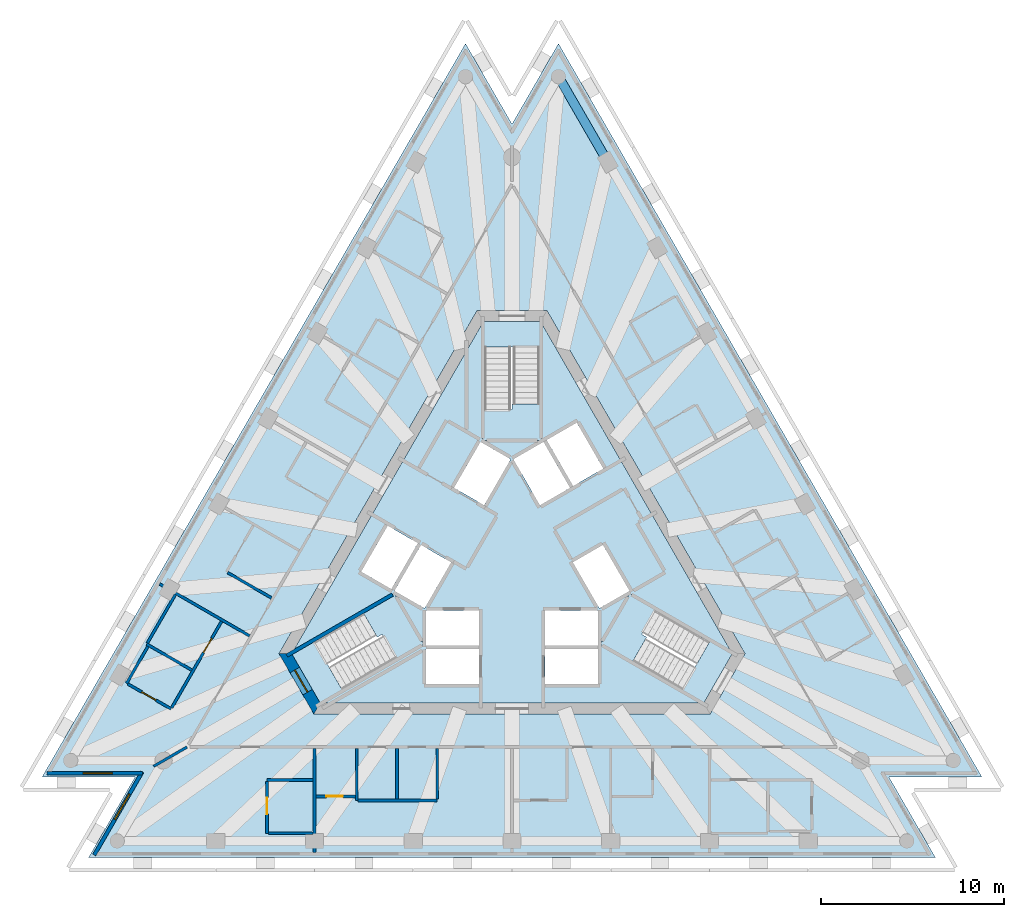
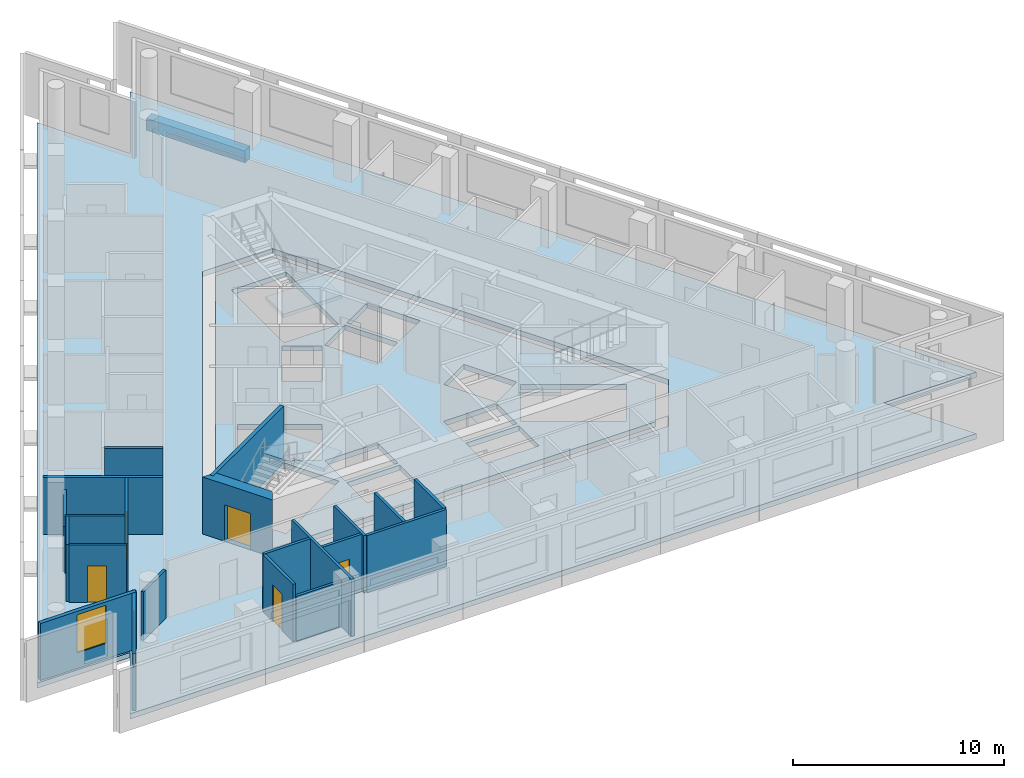
# One storey, part 2 of 10: 21 walls, 5 doors, 5 slabs, 2 windows, 1 beam, 7 openings, 3 elements without a shape of their own.
"""IFC4 building model written with IfcOpenShell, lengths in metres."""

import ifcopenshell
import ifcopenshell.guid

model = None  # the IFC model being written
_history = None  # IfcOwnerHistory: only IFC2X3 demands one
_inside = {}  # id of a spatial element -> (the spatial element, [elements in it])
_under = {}  # id of a project, library or spatial element -> (it, [spatial elements below it])
_declared = {}  # id of a project -> (the project, [libraries it declares])
_typed = {}  # id of a type object -> (the type object, [elements of that type])
_made_of = {}  # id of a material, layer set ... -> (it, [elements and type objects made of it])


def new_model(schema):
    """Start an empty IFC model of exactly this schema.

    Asked for "IFC4X3", IfcOpenShell would pick the latest addendum, in which some entities
    have other attributes; the version numbers below select the first issue.
    IFC2X3 requires an IfcOwnerHistory on every rooted entity: one is made here for all.
    """
    global model, _history
    if schema == "IFC4X3":
        model = ifcopenshell.file(schema_version=(4, 3, 0, 0))
    else:
        model = ifcopenshell.file(schema=schema)
    _inside.clear()
    _under.clear()
    _declared.clear()
    _typed.clear()
    _made_of.clear()
    _history = None
    if model.schema == "IFC2X3":
        org = make("IfcOrganization", Name="unknown")
        user = make(
            "IfcPersonAndOrganization",
            ThePerson=make("IfcPerson", FamilyName="unknown"),
            TheOrganization=org,
        )
        app = make(
            "IfcApplication",
            ApplicationDeveloper=org,
            Version="unknown",
            ApplicationFullName="unknown",
            ApplicationIdentifier="unknown",
        )
        _history = make(
            "IfcOwnerHistory",
            OwningUser=user,
            OwningApplication=app,
            ChangeAction="ADDED",
            CreationDate=0,
        )
    return model


def make(cls, **values):
    """One entity of the class cls with the attributes given. An attribute that is None is left unset."""
    return model.create_entity(
        cls, **{name: value for name, value in values.items() if value is not None}
    )


def rooted(cls, **values):
    """An entity with a GlobalId (a new one), such as an element, a storey or a relation."""
    return make(cls, GlobalId=ifcopenshell.guid.new(), OwnerHistory=_history, **values)


def si_unit(unit_type, name, prefix=None):
    """IfcSIUnit, for example si_unit("LENGTHUNIT", "METRE", prefix="MILLI")."""
    return make("IfcSIUnit", UnitType=unit_type, Prefix=prefix, Name=name)


def assignment(units):
    """IfcUnitAssignment: the units of a project."""
    return None if units is None else make("IfcUnitAssignment", Units=units)


def point(xyz):
    """IfcCartesianPoint."""
    return None if xyz is None else make("IfcCartesianPoint", Coordinates=xyz)


def direction(xyz):
    """IfcDirection."""
    return None if xyz is None else make("IfcDirection", DirectionRatios=xyz)


def frame(location, z_axis=None, x_axis=None):
    """IfcAxis2Placement3D, a coordinate frame: its origin and axes. An axis left out is left unset."""
    return make(
        "IfcAxis2Placement3D",
        Location=point(location),
        Axis=direction(z_axis),
        RefDirection=direction(x_axis),
    )


def frame_2d(location, x_axis=None):
    """IfcAxis2Placement2D, a coordinate frame in the plane: its origin and x axis."""
    return make(
        "IfcAxis2Placement2D", Location=point(location), RefDirection=direction(x_axis)
    )


def origin():
    """The frame at (0, 0, 0) with its axes left unset."""
    return frame((0.0, 0.0, 0.0))


def origin_2d():
    """The frame at (0, 0) in the plane with its x axis left unset."""
    return frame_2d((0.0, 0.0))


def place(relative_to, where):
    """IfcLocalPlacement: puts the frame where relative to a parent placement (None: the world)."""
    return make(
        "IfcLocalPlacement", PlacementRelTo=relative_to, RelativePlacement=where
    )


def context(
    kind, dimensions, precision=None, world=None, true_north=None, identifier=None
):
    """IfcGeometricRepresentationContext, for example the 3D "Model" context."""
    return make(
        "IfcGeometricRepresentationContext",
        ContextIdentifier=identifier,
        ContextType=kind,
        CoordinateSpaceDimension=dimensions,
        Precision=precision,
        WorldCoordinateSystem=world,
        TrueNorth=true_north,
    )


def subcontext(parent, identifier, kind, view, scale=None):
    """IfcGeometricRepresentationSubContext, for example "Body" below "Model"."""
    return make(
        "IfcGeometricRepresentationSubContext",
        ContextIdentifier=identifier,
        ContextType=kind,
        ParentContext=parent,
        TargetScale=scale,
        TargetView=view,
    )


def project(units=None, contexts=None):
    """IfcProject with its units and contexts."""
    return rooted(
        "IfcProject",
        Name="project",
        RepresentationContexts=contexts,
        UnitsInContext=assignment(units),
    )


def spatial(cls, under=None, at=None, **own):
    """A site, building, storey or space (cls), placed at a placement, below another one or the project."""
    s = rooted(cls, ObjectPlacement=at, **own)
    if under is not None:
        _under.setdefault(under.id(), (under, []))[1].append(s)
    return s


def polyline(points):
    """IfcPolyline through the points."""
    return make("IfcPolyline", Points=[point(p) for p in points])


def profile(cls, at=None, kind="AREA", **sizes):
    """A parametric profile (cls). Its sizes go by their IFC names, for example OverallWidth=200.0."""
    return make(cls, ProfileType=kind, Position=at, **sizes)


def rectangle(**sizes):
    """IfcRectangleProfileDef."""
    return profile("IfcRectangleProfileDef", **sizes)


def outline(outer, holes=None, kind="AREA"):
    """IfcArbitraryClosedProfileDef: a profile drawn as a closed curve; with holes, ...WithVoids."""
    if holes is None:
        return make("IfcArbitraryClosedProfileDef", ProfileType=kind, OuterCurve=outer)
    return make(
        "IfcArbitraryProfileDefWithVoids",
        ProfileType=kind,
        OuterCurve=outer,
        InnerCurves=holes,
    )


def extrude(swept, where, along, depth):
    """IfcExtrudedAreaSolid: the profile swept, set in the frame where, extruded along a direction by depth."""
    return make(
        "IfcExtrudedAreaSolid",
        SweptArea=swept,
        Position=where,
        ExtrudedDirection=direction(along),
        Depth=depth,
    )


def shape(context_of_items, identifier, shape_type, items):
    """IfcShapeRepresentation: the items that make up one representation, for example the "Body"."""
    return make(
        "IfcShapeRepresentation",
        ContextOfItems=context_of_items,
        RepresentationIdentifier=identifier,
        RepresentationType=shape_type,
        Items=items,
    )


def material(Name=None, Category=None):
    """IfcMaterial."""
    return make("IfcMaterial", Name=Name, Category=Category)


def layer(
    of_material, thickness, ventilated=None, Name=None, Category=None, Priority=None
):
    """IfcMaterialLayer: one layer of a wall or slab, of a material (None: an air gap)."""
    return make(
        "IfcMaterialLayer",
        Material=of_material,
        LayerThickness=thickness,
        IsVentilated=ventilated,
        Name=Name,
        Category=Category,
        Priority=Priority,
    )


def layer_set(layers, Name=None):
    """IfcMaterialLayerSet."""
    return make("IfcMaterialLayerSet", MaterialLayers=layers, LayerSetName=Name)


def layer_usage(for_layer_set, set_direction, sense, offset, extent=None):
    """IfcMaterialLayerSetUsage: how a layer set lies in its element."""
    return make(
        "IfcMaterialLayerSetUsage",
        ForLayerSet=for_layer_set,
        LayerSetDirection=set_direction,
        DirectionSense=sense,
        OffsetFromReferenceLine=offset,
        ReferenceExtent=extent,
    )


def material_profile(
    of_material, cross_section, Name=None, Category=None, Priority=None
):
    """IfcMaterialProfile: a cross section and its material."""
    return make(
        "IfcMaterialProfile",
        Name=Name,
        Material=of_material,
        Profile=cross_section,
        Priority=Priority,
        Category=Category,
    )


def profile_set(profiles, Name=None, composite=None):
    """IfcMaterialProfileSet."""
    return make(
        "IfcMaterialProfileSet",
        Name=Name,
        MaterialProfiles=profiles,
        CompositeProfile=composite,
    )


def made_of(thing, what):
    """Note that an element or type object is made of a material, layer set ...; save() writes the relation."""
    if what is not None:
        _made_of.setdefault(what.id(), (what, []))[1].append(thing)
    return thing


def type_object(cls, material=None, **own):
    """A type object (cls), such as IfcWallType, which elements share."""
    return made_of(rooted(cls, **own), material)


def element(
    cls,
    number,
    at=None,
    inside=None,
    cuts=None,
    type_object=None,
    material=None,
    context=None,
    identifier="Body",
    shape_type=None,
    held_by="IfcProductDefinitionShape",
    body=None,
    shapes=None,
    **own,
):
    """One element of the class cls, such as IfcWall. Its Tag is "e" and its number.

    at: its placement. inside: the storey or other place that contains it. cuts: it is an
    opening in that element (IfcRelVoidsElement). A single representation is given by context,
    identifier, shape_type and body (its items); several are given by shapes. held_by: the class
    of the entity that holds the representations. save() writes the other relations.
    """
    e = rooted(cls, Tag="e%d" % number, ObjectPlacement=at, **own)
    if body is not None:
        shapes = [shape(context, identifier, shape_type, body)]
    if shapes is not None:
        e.Representation = make(held_by, Representations=shapes)
    if inside is not None:
        _inside.setdefault(inside.id(), (inside, []))[1].append(e)
    if cuts is not None:
        rooted(
            "IfcRelVoidsElement", RelatingBuildingElement=cuts, RelatedOpeningElement=e
        )
    if type_object is not None:
        _typed.setdefault(type_object.id(), (type_object, []))[1].append(e)
    return made_of(e, material)


def fill(opening, filler):
    """IfcRelFillsElement: the door or window that sits in an opening."""
    return rooted(
        "IfcRelFillsElement",
        RelatingOpeningElement=opening,
        RelatedBuildingElement=filler,
    )


def aggregate(whole, parts):
    """IfcRelAggregates: a whole, such as a stair, and the parts it consists of."""
    return rooted("IfcRelAggregates", RelatingObject=whole, RelatedObjects=parts)


def save(model, path):
    """Write the relations noted so far, then the file.

    IfcRelAggregates (storeys below a building ...), IfcRelContainedInSpatialStructure (elements
    in a storey), IfcRelDefinesByType, IfcRelAssociatesMaterial and IfcRelDeclares: one each for
    every whole, place, type object, material and project.
    """
    for whole, parts in _under.values():
        aggregate(whole, parts)
    for where, things in _inside.values():
        rooted(
            "IfcRelContainedInSpatialStructure",
            RelatedElements=things,
            RelatingStructure=where,
        )
    for kind, things in _typed.values():
        rooted("IfcRelDefinesByType", RelatedObjects=things, RelatingType=kind)
    for what, things in _made_of.values():
        rooted("IfcRelAssociatesMaterial", RelatedObjects=things, RelatingMaterial=what)
    for by, libraries in _declared.values():
        rooted("IfcRelDeclares", RelatingContext=by, RelatedDefinitions=libraries)
    model.write(path)


model = new_model("IFC4")

# Units and contexts
model_context = context("Model", 3, precision=1e-05, world=origin(), true_north=direction((0.0, 1.0)))
body_context = subcontext(model_context, "Body", "Model", "MODEL_VIEW")
ifc_project = project(units=[si_unit("LENGTHUNIT", "METRE"), si_unit("AREAUNIT", "SQUARE_METRE"), si_unit("VOLUMEUNIT", "CUBIC_METRE"), si_unit("PLANEANGLEUNIT", "RADIAN"), si_unit("MASSUNIT", "GRAM", prefix="KILO")], contexts=[model_context])

# Site, building, storey
site_placement = place(None, origin())
site = spatial("IfcSite", under=ifc_project, at=site_placement, CompositionType="ELEMENT")
building_placement = place(site_placement, origin())
building = spatial("IfcBuilding", under=site, at=building_placement, Name="Triada Interchange Tower", CompositionType="ELEMENT")
storey_placement = place(building_placement, frame((0.0, 0.0, 293.5)))
storey = spatial("IfcBuildingStorey", under=building, at=storey_placement, Name="L69", CompositionType="ELEMENT", Elevation=293.5)

# Beam
ifc_material_1 = material(Name="Concrete C50/60", Category="concrete")
ifc_material_profile = material_profile(ifc_material_1, rectangle(XDim=0.5, YDim=0.699951171875, at=origin_2d()), Name="RC 500x700")
ifc_profile_set = profile_set([ifc_material_profile], Name="Concrete C50/60")
beam_type = type_object("IfcBeamType", Name="Spandrel beam D RC 500x700", PredefinedType="BEAM", material=ifc_profile_set)
beam_placement = place(storey_placement, frame((5.236083984375, 21.7099609375, -0.64990234375), z_axis=(-0.49994052929, 0.866059736492, 0.0), x_axis=(-0.866059736492, -0.49994052929, 0.0)))
element("IfcBeam", 1, at=beam_placement, inside=storey, type_object=beam_type, Name="Spandrel beam ED28 L69", PredefinedType="BEAM", context=body_context, shape_type="SweptSolid", body=[
    extrude(rectangle(XDim=0.5, YDim=0.699951171875, at=origin_2d()), origin(), (0.0, 0.0, 1.0), 5.394775390625),
])

# Slabs
ifc_layer_1 = layer(ifc_material_1, 0.300048828125)
ifc_layer_set_1 = layer_set([ifc_layer_1], Name="Floor slab 300")
slab_type_1 = type_object("IfcSlabType", Name="Floor slab 300", PredefinedType="FLOOR", material=ifc_layer_set_1)
slab_1_placement = place(storey_placement, frame((0.0, 0.0, -0.300048828125)))
element("IfcSlab", 2, at=slab_1_placement, inside=storey, type_object=slab_type_1, Name="Floor slab L69", PredefinedType="FLOOR", context=body_context, shape_type="SweptSolid", body=[
    extrude(outline(polyline([(-2.5390625, 28.181884765625), (-25.676025390625, -11.89208984375), (-20.596923828125, -11.89208984375), (-23.135986328125, -16.2900390625), (23.135986328125, -16.2900390625), (20.596923828125, -11.89208984375), (25.676025390625, -11.89208984375), (2.5390625, 28.181884765625), (0.0, 23.782958984375), (-2.5390625, 28.181884765625)]), holes=[polyline([(1.905029296875, 13.60009765625), (-1.905029296875, 13.60009765625), (-12.73095703125, -5.14990234375), (-10.824951171875, -8.449951171875), (10.824951171875, -8.449951171875), (12.73095703125, -5.14990234375), (1.905029296875, 13.60009765625)])]), origin(), (0.0, 0.0, 1.0), 0.300048828125),
])
slab_2_placement = place(storey_placement, frame((0.0, 0.0, -0.300048828125)))
element("IfcSlab", 3, at=slab_2_placement, inside=storey, type_object=slab_type_1, Name="Core floor slab L69 1", PredefinedType="FLOOR", context=body_context, shape_type="SweptSolid", body=[
    extrude(outline(polyline([(12.0380859375, -5.14990234375), (10.47900390625, -7.85009765625), (-10.47900390625, -7.85009765625), (-12.0380859375, -5.14990234375), (-1.55908203125, 13.0), (1.55908203125, 13.0), (12.0380859375, -5.14990234375)]), holes=[polyline([(9.2958984375, -7.09912109375), (10.7958984375, -4.5009765625), (6.466064453125, -2.0009765625), (4.966064453125, -4.59912109375), (9.2958984375, -7.09912109375)]), polyline([(4.969970703125, 0.791015625), (3.324951171875, -0.158935546875), (4.77490234375, -2.669921875), (6.419921875, -1.719970703125), (4.969970703125, 0.791015625)]), polyline([(1.89404296875, 6.52001953125), (3.343994140625, 4.009033203125), (4.989013671875, 4.958984375), (3.5390625, 7.469970703125), (1.89404296875, 6.52001953125)]), polyline([(1.800048828125, -4.89990234375), (1.800048828125, -6.4990234375), (1.800048828125, -6.800048828125), (4.699951171875, -6.800048828125), (4.699951171875, -4.89990234375), (1.800048828125, -4.89990234375)]), polyline([(4.699951171875, -2.800048828125), (1.800048828125, -2.800048828125), (1.800048828125, -4.699951171875), (4.699951171875, -4.699951171875), (4.699951171875, -2.800048828125)]), polyline([(1.52490234375, 2.958984375), (2.594970703125, 3.576904296875), (3.169921875, 3.908935546875), (1.719970703125, 6.419921875), (0.074951171875, 5.469970703125), (1.52490234375, 2.958984375)]), polyline([(-1.5, 11.60009765625), (-1.5, 6.60009765625), (1.5, 6.60009765625), (1.5, 11.60009765625), (-1.5, 11.60009765625)]), polyline([(-1.52490234375, 2.958984375), (-0.074951171875, 5.469970703125), (-1.719970703125, 6.419921875), (-3.169921875, 3.908935546875), (-1.52490234375, 2.958984375)]), polyline([(-1.800048828125, -2.800048828125), (-4.699951171875, -2.800048828125), (-4.699951171875, -4.699951171875), (-1.800048828125, -4.699951171875), (-1.800048828125, -2.800048828125)]), polyline([(-4.699951171875, -6.800048828125), (-1.800048828125, -6.800048828125), (-1.800048828125, -6.4990234375), (-1.800048828125, -4.89990234375), (-4.699951171875, -4.89990234375), (-4.699951171875, -6.800048828125)]), polyline([(-3.427978515625, -0.09912109375), (-4.969970703125, 0.791015625), (-6.419921875, -1.719970703125), (-4.77490234375, -2.669921875), (-3.324951171875, -0.158935546875), (-3.427978515625, -0.09912109375)]), polyline([(-10.7958984375, -4.5009765625), (-9.2958984375, -7.09912109375), (-4.966064453125, -4.59912109375), (-6.466064453125, -2.0009765625), (-10.7958984375, -4.5009765625)]), polyline([(-6.593994140625, -1.6201171875), (-5.14404296875, 0.89111328125), (-6.7890625, 1.841064453125), (-8.239013671875, -0.669921875), (-6.593994140625, -1.6201171875)])]), origin(), (0.0, 0.0, 1.0), 0.300048828125),
])

# Stair, slab
ifc_material_2 = material(Name="Concrete C35/45", Category="concrete")
stair_type = type_object("IfcStairType", Name="HALF TURN STAIR 1400", PredefinedType="HALF_TURN_STAIR", material=ifc_material_2)
stair_1_placement = place(storey_placement, origin())
stair_1 = element("IfcStair", 4, at=stair_1_placement, inside=storey, type_object=stair_type, Name="Exit stair S68-1", PredefinedType="HALF_TURN_STAIR")
ifc_layer_2 = layer(ifc_material_2, 0.199951171875)
ifc_layer_set_2 = layer_set([ifc_layer_2], Name="STAIR LANDING 200")
slab_type_2 = type_object("IfcSlabType", Name="STAIR LANDING 200", PredefinedType="LANDING", material=ifc_layer_set_2)
slab_3_placement = place(storey_placement, frame((0.0, 0.0, 1.521728515625)))
slab_3 = element("IfcSlab", 5, at=slab_3_placement, type_object=slab_type_2, Name="S68-1 landing 1", PredefinedType="LANDING", context=body_context, shape_type="SweptSolid", body=[
    extrude(outline(polyline([(1.60009765625, 6.5), (1.60009765625, 8.5), (0.0, 8.5), (0.0, 8.18994140625), (-1.60009765625, 8.18994140625), (-1.60009765625, 6.5), (1.60009765625, 6.5)])), origin(), (0.0, 0.0, 1.0), 0.199951171875),
])
aggregate(stair_1, [slab_3])

stair_2_placement = place(storey_placement, origin())
stair_2 = element("IfcStair", 6, at=stair_2_placement, inside=storey, type_object=stair_type, Name="Exit stair S68-2", PredefinedType="HALF_TURN_STAIR")
slab_4_placement = place(storey_placement, frame((0.0, 0.0, 1.521728515625)))
slab_4 = element("IfcSlab", 7, at=slab_4_placement, type_object=slab_type_2, Name="S68-2 landing 1", PredefinedType="LANDING", context=body_context, shape_type="SweptSolid", body=[
    extrude(outline(polyline([(-6.428955078125, -1.864013671875), (-8.160888671875, -2.864013671875), (-7.361083984375, -4.25), (-7.093017578125, -4.094970703125), (-6.29296875, -5.48095703125), (-4.8291015625, -4.635986328125), (-6.428955078125, -1.864013671875)])), origin(), (0.0, 0.0, 1.0), 0.199951171875),
])
aggregate(stair_2, [slab_4])

stair_3_placement = place(storey_placement, origin())
stair_3 = element("IfcStair", 8, at=stair_3_placement, inside=storey, type_object=stair_type, Name="Exit stair S68-3", PredefinedType="HALF_TURN_STAIR")
slab_5_placement = place(storey_placement, frame((0.0, 0.0, 1.521728515625)))
slab_5 = element("IfcSlab", 9, at=slab_5_placement, type_object=slab_type_2, Name="S68-3 landing 1", PredefinedType="LANDING", context=body_context, shape_type="SweptSolid", body=[
    extrude(outline(polyline([(4.8291015625, -4.635986328125), (6.56103515625, -5.635986328125), (7.361083984375, -4.25), (7.093017578125, -4.094970703125), (7.89306640625, -2.708984375), (6.428955078125, -1.864013671875), (4.8291015625, -4.635986328125)])), origin(), (0.0, 0.0, 1.0), 0.199951171875),
])
aggregate(stair_3, [slab_5])

# Wall
ifc_material_3 = material(Name="Concrete C30/37", Category="concrete")
ifc_layer_3 = layer(ifc_material_3, 0.199951171875)
ifc_layer_set_3 = layer_set([ifc_layer_3], Name="CORE WALL 200 REI 240")
wall_type_1 = type_object("IfcWallType", Name="CORE WALL 200 REI 240", PredefinedType="SOLIDWALL", material=ifc_layer_set_3)
wall_1_placement = place(storey_placement, frame((-12.301025390625, -5.25390625, 0.0), z_axis=(0.0, 0.0, 1.0), x_axis=(0.866068467981, 0.499925403204, 0.0)))
element("IfcWall", 10, at=wall_1_placement, inside=storey, type_object=wall_type_1, Name="Wall L68 112", PredefinedType="SOLIDWALL", context=body_context, shape_type="SweptSolid", body=[
    extrude(rectangle(XDim=6.66455078125, YDim=0.199951171875, at=frame_2d((3.332275390625, 0.0))), origin(), (0.0, 0.0, 1.0), 3.300048828125),
])

# Wall, opening, door
ifc_material_4 = material(Name="Concrete C40/50", Category="concrete")
ifc_layer_4 = layer(ifc_material_4, 0.60009765625)
ifc_layer_set_4 = layer_set([ifc_layer_4], Name="Core wall D 600")
wall_type_2 = type_object("IfcWallType", Name="Core wall D 600", PredefinedType="SHEAR", material=ifc_layer_set_4)
wall_2_placement = place(storey_placement, frame((-12.384033203125, -5.14990234375, -0.300048828125), z_axis=(0.0, 0.0, 1.0), x_axis=(0.49997462182, -0.866040055388, 0.0)))
wall_2 = element("IfcWall", 11, at=wall_2_placement, inside=storey, type_object=wall_type_2, Name="Core wall WD03 L69", PredefinedType="SHEAR", context=body_context, shape_type="SweptSolid", body=[
    extrude(outline(polyline([(-0.173095703125, -0.301025390625), (1.73193359375, -0.300537109375), (3.636962890625, -0.300048828125), (3.291015625, 0.300048828125), (1.73193359375, 0.300048828125), (0.173095703125, 0.300048828125), (-0.173095703125, -0.301025390625)])), origin(), (0.0, 0.0, 1.0), 3.60009765625),
])
opening_1_placement = place(wall_2_placement, frame((1.031982421875, 0.0, 0.300048828125)))
opening_1 = element("IfcOpeningElement", 12, at=opening_1_placement, cuts=wall_2, Name="Opening D68-49", PredefinedType="OPENING", context=body_context, shape_type="SweptSolid", body=[
    extrude(rectangle(XDim=1.39990234375, YDim=2.10009765625, at=frame_2d((0.699951171875, 1.050048828125))), frame((0.0, 0.31005859375, 0.0), z_axis=(0.0, -1.0, 0.0), x_axis=(1.0, 0.0, 0.0)), (0.0, 0.0, 1.0), 0.62109375),
])
ifc_material_5 = material(Name="Steel S235 door leaf", Category="steel")
door_type_1 = type_object("IfcDoorType", Name="STAIR DOOR 1400 EI2 90-C5S200", OperationType="DOUBLE_DOOR_SINGLE_SWING", PredefinedType="DOOR", material=ifc_material_5)
door_1_placement = place(opening_1_placement, origin())
door_1 = element("IfcDoor", 13, at=door_1_placement, inside=storey, type_object=door_type_1, Name="Door D68-49 L69", OperationType="DOUBLE_DOOR_SINGLE_SWING", OverallHeight=2.10009765625, OverallWidth=1.39990234375, PredefinedType="DOOR", context=body_context, shape_type="SweptSolid", body=[
    extrude(rectangle(XDim=1.39990234375, YDim=2.10009765625, at=frame_2d((0.699951171875, 1.050048828125))), frame((0.0, 0.02490234375, 0.0), z_axis=(0.0, -1.0, 0.0), x_axis=(1.0, 0.0, 0.0)), (0.0, 0.0, 1.0), 0.050048828125),
])
fill(opening_1, door_1)

# Wall, opening, window
ifc_material_6 = material(Name="Cement board")
ifc_layer_5 = layer(ifc_material_6, 0.02001953125, Name="Cement board cladding")
ifc_material_7 = material(Name="Sheathing board")
ifc_layer_6 = layer(ifc_material_7, 0.014892578125, Name="Sheathing board")
ifc_material_8 = material(Name="Mineral wool")
ifc_layer_7 = layer(ifc_material_8, 0.14990234375, Name="Mineral wool between steel studs")
ifc_material_9 = material(Name="Gypsum board")
ifc_layer_8 = layer(ifc_material_9, 0.014892578125, Name="Plasterboard lining")
ifc_layer_set_5 = layer_set([ifc_layer_5, ifc_layer_6, ifc_layer_7, ifc_layer_8], Name="External wall 200")
ifc_layer_usage = layer_usage(ifc_layer_set_5, "AXIS2", "POSITIVE", -0.10009765625)
wall_type_3 = type_object("IfcWallType", Name="External wall 200", PredefinedType="ELEMENTEDWALL", material=ifc_layer_set_5)
wall_3_placement = place(storey_placement, frame((-25.419921875, -11.69189453125, 0.0), z_axis=(0.0, 0.0, 1.0), x_axis=(1.0, 0.0, 0.0)))
wall_3 = element("IfcWall", 14, at=wall_3_placement, inside=storey, type_object=wall_type_3, material=ifc_layer_usage, Name="External wall L69 SW-1", PredefinedType="ELEMENTEDWALL", context=body_context, shape_type="SweptSolid", body=[
    extrude(rectangle(XDim=5.239013671875, YDim=0.199951171875, at=frame_2d((2.61962890625, 0.0))), origin(), (0.0, 0.0, 1.0), 3.300048828125),
])
opening_2_placement = place(wall_3_placement, frame((1.989990234375, 0.0, 0.89990234375)))
opening_2 = element("IfcOpeningElement", 15, at=opening_2_placement, cuts=wall_3, Name="Opening WD09", PredefinedType="OPENING", context=body_context, shape_type="SweptSolid", body=[
    extrude(rectangle(XDim=1.60009765625, YDim=2.199951171875, at=frame_2d((0.800048828125, 1.10009765625))), frame((0.0, 0.10986328125, 0.0), z_axis=(0.0, -1.0, 0.0), x_axis=(1.0, 0.0, 0.0)), (0.0, 0.0, 1.0), 0.219970703125),
])
ifc_material_10 = material(Name="Double glazed aluminium window", Category="aluminium")
window_type = type_object("IfcWindowType", Name="Ribbon window D pocket", PartitioningType="SINGLE_PANEL", PredefinedType="WINDOW", material=ifc_material_10)
window_1_placement = place(opening_2_placement, origin())
window_1 = element("IfcWindow", 16, at=window_1_placement, inside=storey, type_object=window_type, Name="Window L69 SW-1 1", OverallHeight=2.199951171875, OverallWidth=1.60009765625, PartitioningType="SINGLE_PANEL", PredefinedType="WINDOW", context=body_context, shape_type="SweptSolid", body=[
    extrude(rectangle(XDim=1.60009765625, YDim=2.199951171875, at=frame_2d((0.800048828125, 1.10009765625))), frame((0.0, 0.030029296875, 0.0), z_axis=(0.0, -1.0, 0.0), x_axis=(1.0, 0.0, 0.0)), (0.0, 0.0, 1.0), 0.06005859375),
])
fill(opening_2, window_1)

wall_4_placement = place(storey_placement, frame((-20.2060546875, -11.614013671875, 0.0), z_axis=(0.0, 0.0, 1.0), x_axis=(-0.499933584342, -0.866063745487, 0.0)))
wall_4 = element("IfcWall", 17, at=wall_4_placement, inside=storey, type_object=wall_type_3, material=ifc_layer_usage, Name="External wall L69 SW-2", PredefinedType="ELEMENTEDWALL", context=body_context, shape_type="SweptSolid", body=[
    extrude(rectangle(XDim=5.238525390625, YDim=0.199951171875, at=frame_2d((2.619140625, 0.0))), origin(), (0.0, 0.0, 1.0), 3.300048828125),
])
opening_3_placement = place(wall_4_placement, frame((1.389892578125, 0.0, 0.89990234375)))
opening_3 = element("IfcOpeningElement", 18, at=opening_3_placement, cuts=wall_4, Name="Opening WD10", PredefinedType="OPENING", context=body_context, shape_type="SweptSolid", body=[
    extrude(rectangle(XDim=1.60009765625, YDim=2.199951171875, at=frame_2d((0.800048828125, 1.10009765625))), frame((0.0, 0.10986328125, 0.0), z_axis=(0.0, -1.0, 0.0), x_axis=(1.0, 0.0, 0.0)), (0.0, 0.0, 1.0), 0.219970703125),
])
window_2_placement = place(opening_3_placement, origin())
window_2 = element("IfcWindow", 19, at=window_2_placement, inside=storey, type_object=window_type, Name="Window L69 SW-2 1", OverallHeight=2.199951171875, OverallWidth=1.60009765625, PartitioningType="SINGLE_PANEL", PredefinedType="WINDOW", context=body_context, shape_type="SweptSolid", body=[
    extrude(rectangle(XDim=1.60009765625, YDim=2.199951171875, at=frame_2d((0.800048828125, 1.10009765625))), frame((0.0, 0.030029296875, 0.0), z_axis=(0.0, -1.0, 0.0), x_axis=(1.0, 0.0, 0.0)), (0.0, 0.0, 1.0), 0.06005859375),
])
fill(opening_3, window_2)

# Walls
ifc_material_11 = material(Name="Gypsum board partition")
ifc_layer_9 = layer(ifc_material_11, 0.14990234375)
ifc_layer_set_6 = layer_set([ifc_layer_9], Name="PARTITION 150 EI 180")
wall_type_4 = type_object("IfcWallType", Name="PARTITION 150 EI 180", PredefinedType="PARTITIONING", material=ifc_layer_set_6)
wall_5_placement = place(storey_placement, frame((-19.574951171875, -11.302001953125, 0.0), z_axis=(0.0, 0.0, 1.0), x_axis=(0.866013598413, 0.500020446946, 0.0)))
element("IfcWall", 20, at=wall_5_placement, inside=storey, type_object=wall_type_4, Name="Wall L68 1", PredefinedType="PARTITIONING", context=body_context, shape_type="SweptSolid", body=[
    extrude(rectangle(XDim=2.10400390625, YDim=0.14990234375, at=frame_2d((1.052001953125, 0.0))), origin(), (0.0, 0.0, 1.0), 2.800048828125),
])
wall_6_placement = place(storey_placement, frame((-19.259033203125, -1.339111328125, 0.0), z_axis=(0.0, 0.0, 1.0), x_axis=(0.86606758311, -0.499926936147, 0.0)))
element("IfcWall", 21, at=wall_6_placement, inside=storey, type_object=wall_type_4, Name="Wall L68 3", PredefinedType="PARTITIONING", context=body_context, shape_type="SweptSolid", body=[
    extrude(rectangle(XDim=5.684326171875, YDim=0.14990234375, at=frame_2d((2.84228515625, 0.0))), origin(), (0.0, 0.0, 1.0), 3.300048828125),
])
wall_7_placement = place(storey_placement, frame((-10.7880859375, -16.010009765625, 0.0), z_axis=(0.0, 0.0, 1.0), x_axis=(0.0, 1.0, 0.0)))
element("IfcWall", 22, at=wall_7_placement, inside=storey, type_object=wall_type_4, Name="Wall L68 10", PredefinedType="PARTITIONING", context=body_context, shape_type="SweptSolid", body=[
    extrude(rectangle(XDim=5.68505859375, YDim=0.14990234375, at=frame_2d((2.842529296875, 0.0))), origin(), (0.0, 0.0, 1.0), 3.300048828125),
])
wall_8_placement = place(storey_placement, frame((-8.488037109375, -13.169921875, 0.0), z_axis=(0.0, 0.0, 1.0), x_axis=(0.0, 1.0, 0.0)))
element("IfcWall", 23, at=wall_8_placement, inside=storey, type_object=wall_type_4, Name="Wall L68 12", PredefinedType="PARTITIONING", context=body_context, shape_type="SweptSolid", body=[
    extrude(rectangle(XDim=2.844970703125, YDim=0.14990234375, at=frame_2d((1.42236328125, 0.0))), origin(), (0.0, 0.0, 1.0), 3.300048828125),
])
wall_9_placement = place(storey_placement, frame((-8.4130859375, -13.169921875, 0.0), z_axis=(0.0, 0.0, 1.0), x_axis=(1.0, 0.0, 0.0)))
element("IfcWall", 24, at=wall_9_placement, inside=storey, type_object=wall_type_4, Name="Wall L68 13", PredefinedType="PARTITIONING", context=body_context, shape_type="SweptSolid", body=[
    extrude(rectangle(XDim=4.3251953125, YDim=0.14990234375, at=frame_2d((2.16259765625, 0.0))), origin(), (0.0, 0.0, 1.0), 3.300048828125),
])
for number, where, z_axis, x_axis, name in (
    (25, (-4.087890625, -13.094970703125, 0.0), (0.0, 0.0, 1.0), (0.0, 1.0, 0.0), "Wall L68 14"),
    (26, (-6.2880859375, -13.094970703125, 0.0), (0.0, 0.0, 1.0), (0.0, 1.0, 0.0), "Wall L68 15"),
):
    element("IfcWall", number, at=place(storey_placement, frame(where, z_axis=z_axis, x_axis=x_axis)), inside=storey, type_object=wall_type_4, Name=name, PredefinedType="PARTITIONING", context=body_context, shape_type="SweptSolid", body=[
        extrude(rectangle(XDim=2.77001953125, YDim=0.14990234375, at=frame_2d((1.385009765625, 0.0))), origin(), (0.0, 0.0, 1.0), 3.300048828125),
    ])
ifc_layer_10 = layer(ifc_material_11, 0.14990234375)
ifc_layer_set_7 = layer_set([ifc_layer_10], Name="PARTITION 150 EI 90")
wall_type_5 = type_object("IfcWallType", Name="PARTITION 150 EI 90", PredefinedType="PARTITIONING", material=ifc_layer_set_7)
wall_10_placement = place(storey_placement, frame((-19.958984375, -4.6298828125, 0.0), z_axis=(0.0, 0.0, 1.0), x_axis=(0.866085557634, -0.499895795999, 0.0)))
element("IfcWall", 27, at=wall_10_placement, inside=storey, type_object=wall_type_5, Name="Wall L68 28", PredefinedType="PARTITIONING", context=body_context, shape_type="SweptSolid", body=[
    extrude(rectangle(XDim=2.8447265625, YDim=0.14990234375, at=frame_2d((1.42236328125, 0.0))), origin(), (0.0, 0.0, 1.0), 3.300048828125),
])
wall_11_placement = place(storey_placement, frame((-21.054931640625, -6.76806640625, 0.0), z_axis=(0.0, 0.0, 1.0), x_axis=(0.499855809005, 0.866108636491, 0.0)))
element("IfcWall", 28, at=wall_11_placement, inside=storey, type_object=wall_type_5, Name="Wall L68 29", PredefinedType="PARTITIONING", context=body_context, shape_type="SweptSolid", body=[
    extrude(rectangle(XDim=2.324462890625, YDim=0.14990234375, at=frame_2d((1.162109375, 0.0))), origin(), (0.0, 0.0, 1.0), 3.300048828125),
])

# Wall, opening, door
wall_12_placement = place(storey_placement, frame((-20.989990234375, -6.805908203125, 0.0), z_axis=(0.0, 0.0, 1.0), x_axis=(0.866112488944, -0.499849133735, 0.0)))
wall_12 = element("IfcWall", 29, at=wall_12_placement, inside=storey, type_object=wall_type_5, Name="Wall L68 30", PredefinedType="PARTITIONING", context=body_context, shape_type="SweptSolid", body=[
    extrude(rectangle(XDim=2.724853515625, YDim=0.14990234375, at=frame_2d((1.3623046875, 0.0))), origin(), (0.0, 0.0, 1.0), 3.300048828125),
])
opening_4_placement = place(wall_12_placement, frame((0.875, 0.0, 0.0)))
opening_4 = element("IfcOpeningElement", 30, at=opening_4_placement, cuts=wall_12, Name="Opening D68-46", PredefinedType="OPENING", context=body_context, shape_type="SweptSolid", body=[
    extrude(rectangle(XDim=0.89990234375, YDim=2.10009765625, at=frame_2d((0.449951171875, 1.050048828125))), frame((0.0, 0.0849609375, 0.0), z_axis=(0.0, -1.0, 0.0), x_axis=(1.0, 0.0, 0.0)), (0.0, 0.0, 1.0), 0.169921875),
])
door_type_2 = type_object("IfcDoorType", Name="SERVICE DOOR 900 EI2 45-C5S200", OperationType="NOTDEFINED", PredefinedType="DOOR", material=ifc_material_5)
door_2_placement = place(opening_4_placement, origin())
door_2 = element("IfcDoor", 31, at=door_2_placement, inside=storey, type_object=door_type_2, Name="Door D68-46 L69", OperationType="SINGLE_SWING_LEFT", OverallHeight=2.10009765625, OverallWidth=0.89990234375, PredefinedType="DOOR", context=body_context, shape_type="SweptSolid", body=[
    extrude(rectangle(XDim=0.89990234375, YDim=2.10009765625, at=frame_2d((0.449951171875, 1.050048828125))), frame((0.0, 0.02490234375, 0.0), z_axis=(0.0, -1.0, 0.0), x_axis=(1.0, 0.0, 0.0)), (0.0, 0.0, 1.0), 0.050048828125),
])
fill(opening_4, door_2)

wall_13_placement = place(storey_placement, frame((-18.593017578125, -8.10302734375, 0.0), z_axis=(0.0, 0.0, 1.0), x_axis=(0.500080528864, 0.865978905431, 0.0)))
wall_13 = element("IfcWall", 32, at=wall_13_placement, inside=storey, type_object=wall_type_5, Name="Wall L68 31", PredefinedType="PARTITIONING", context=body_context, shape_type="SweptSolid", body=[
    extrude(rectangle(XDim=5.44921875, YDim=0.14990234375, at=frame_2d((2.724609375, 0.0))), origin(), (0.0, 0.0, 1.0), 3.300048828125),
])
opening_5_placement = place(wall_13_placement, frame((3.47509765625, 0.0, 0.0)))
opening_5 = element("IfcOpeningElement", 33, at=opening_5_placement, cuts=wall_13, Name="Opening D68-45", PredefinedType="OPENING", context=body_context, shape_type="SweptSolid", body=[
    extrude(rectangle(XDim=0.89990234375, YDim=2.10009765625, at=frame_2d((0.449951171875, 1.050048828125))), frame((0.0, 0.0849609375, 0.0), z_axis=(0.0, -1.0, 0.0), x_axis=(1.0, 0.0, 0.0)), (0.0, 0.0, 1.0), 0.169921875),
])
door_type_3 = type_object("IfcDoorType", Name="ROOM DOOR 900 EI2 45-C5S200", OperationType="NOTDEFINED", PredefinedType="DOOR", material=ifc_material_5)
door_3_placement = place(opening_5_placement, origin())
door_3 = element("IfcDoor", 34, at=door_3_placement, inside=storey, type_object=door_type_3, Name="Door D68-45 L69", OperationType="SINGLE_SWING_RIGHT", OverallHeight=2.10009765625, OverallWidth=0.89990234375, PredefinedType="DOOR", context=body_context, shape_type="SweptSolid", body=[
    extrude(rectangle(XDim=0.89990234375, YDim=2.10009765625, at=frame_2d((0.449951171875, 1.050048828125))), frame((0.0, 0.02490234375, 0.0), z_axis=(0.0, -1.0, 0.0), x_axis=(1.0, 0.0, 0.0)), (0.0, 0.0, 1.0), 0.050048828125),
])
fill(opening_5, door_3)

# Walls
wall_14_placement = place(storey_placement, frame((-19.9208984375, -4.56494140625, 0.0), z_axis=(0.0, 0.0, 1.0), x_axis=(0.500048162978, 0.86599759509, 0.0)))
element("IfcWall", 35, at=wall_14_placement, inside=storey, type_object=wall_type_5, Name="Wall L68 33", PredefinedType="PARTITIONING", context=body_context, shape_type="SweptSolid", body=[
    extrude(rectangle(XDim=3.049560546875, YDim=0.14990234375, at=frame_2d((1.52490234375, 0.0))), origin(), (0.0, 0.0, 1.0), 2.60009765625),
])
wall_15_placement = place(storey_placement, frame((-15.5380859375, -0.721923828125, 0.0), z_axis=(0.0, 0.0, 1.0), x_axis=(0.866049104564, -0.499958946799, 0.0)))
element("IfcWall", 36, at=wall_15_placement, inside=storey, type_object=wall_type_5, Name="Wall L68 37", PredefinedType="PARTITIONING", context=body_context, shape_type="SweptSolid", body=[
    extrude(rectangle(XDim=2.770263671875, YDim=0.14990234375, at=frame_2d((1.38525390625, 0.0))), origin(), (0.0, 0.0, 1.0), 3.300048828125),
])
wall_16_placement = place(storey_placement, frame((-13.387939453125, -12.050048828125, 0.0), z_axis=(0.0, 0.0, 1.0), x_axis=(1.0, 0.0, 0.0)))
element("IfcWall", 37, at=wall_16_placement, inside=storey, type_object=wall_type_5, Name="Wall L68 41", PredefinedType="PARTITIONING", context=body_context, shape_type="SweptSolid", body=[
    extrude(rectangle(XDim=2.52490234375, YDim=0.14990234375, at=frame_2d((1.262451171875, 0.0))), origin(), (0.0, 0.0, 1.0), 3.300048828125),
])

# Wall, opening, door
wall_17_placement = place(storey_placement, frame((-13.387939453125, -14.969970703125, 0.0), z_axis=(0.0, 0.0, 1.0), x_axis=(0.0, 1.0, 0.0)))
wall_17 = element("IfcWall", 38, at=wall_17_placement, inside=storey, type_object=wall_type_5, Name="Wall L68 43", PredefinedType="PARTITIONING", context=body_context, shape_type="SweptSolid", body=[
    extrude(rectangle(XDim=2.844970703125, YDim=0.14990234375, at=frame_2d((1.42236328125, 0.0))), origin(), (0.0, 0.0, 1.0), 3.300048828125),
])
opening_6_placement = place(wall_17_placement, frame((1.050048828125, 0.0, 0.0)))
opening_6 = element("IfcOpeningElement", 39, at=opening_6_placement, cuts=wall_17, Name="Opening D68-12", PredefinedType="OPENING", context=body_context, shape_type="SweptSolid", body=[
    extrude(rectangle(XDim=0.89990234375, YDim=2.10009765625, at=frame_2d((0.449951171875, 1.050048828125))), frame((0.0, 0.0849609375, 0.0), z_axis=(0.0, -1.0, 0.0), x_axis=(1.0, 0.0, 0.0)), (0.0, 0.0, 1.0), 0.169921875),
])
door_4_placement = place(opening_6_placement, origin())
door_4 = element("IfcDoor", 40, at=door_4_placement, inside=storey, type_object=door_type_3, Name="Door D68-12 L69", OperationType="SINGLE_SWING_RIGHT", OverallHeight=2.10009765625, OverallWidth=0.89990234375, PredefinedType="DOOR", context=body_context, shape_type="SweptSolid", body=[
    extrude(rectangle(XDim=0.89990234375, YDim=2.10009765625, at=frame_2d((0.449951171875, 1.050048828125))), frame((0.0, 0.02490234375, 0.0), z_axis=(0.0, -1.0, 0.0), x_axis=(1.0, 0.0, 0.0)), (0.0, 0.0, 1.0), 0.050048828125),
])
fill(opening_6, door_4)

# Wall
wall_18_placement = place(storey_placement, frame((-13.31298828125, -14.969970703125, 0.0), z_axis=(0.0, 0.0, 1.0), x_axis=(1.0, 0.0, 0.0)))
element("IfcWall", 41, at=wall_18_placement, inside=storey, type_object=wall_type_5, Name="Wall L68 44", PredefinedType="PARTITIONING", context=body_context, shape_type="SweptSolid", body=[
    extrude(rectangle(XDim=2.449951171875, YDim=0.14990234375, at=frame_2d((1.22509765625, 0.0))), origin(), (0.0, 0.0, 1.0), 2.60009765625),
])

# Wall, opening, door
wall_19_placement = place(storey_placement, frame((-10.712890625, -12.949951171875, 0.0), z_axis=(0.0, 0.0, 1.0), x_axis=(1.0, 0.0, 0.0)))
wall_19 = element("IfcWall", 42, at=wall_19_placement, inside=storey, type_object=wall_type_5, Name="Wall L68 46", PredefinedType="PARTITIONING", context=body_context, shape_type="SweptSolid", body=[
    extrude(rectangle(XDim=2.14990234375, YDim=0.14990234375, at=frame_2d((1.074951171875, 0.0))), origin(), (0.0, 0.0, 1.0), 3.300048828125),
])
opening_7_placement = place(wall_19_placement, frame((0.574951171875, 0.0, 0.0)))
opening_7 = element("IfcOpeningElement", 43, at=opening_7_placement, cuts=wall_19, Name="Opening D68-14", PredefinedType="OPENING", context=body_context, shape_type="SweptSolid", body=[
    extrude(rectangle(XDim=0.89990234375, YDim=2.10009765625, at=frame_2d((0.449951171875, 1.050048828125))), frame((0.0, 0.0849609375, 0.0), z_axis=(0.0, -1.0, 0.0), x_axis=(1.0, 0.0, 0.0)), (0.0, 0.0, 1.0), 0.169921875),
])
door_5_placement = place(opening_7_placement, origin())
door_5 = element("IfcDoor", 44, at=door_5_placement, inside=storey, type_object=door_type_3, Name="Door D68-14 L69", OperationType="SINGLE_SWING_LEFT", OverallHeight=2.10009765625, OverallWidth=0.89990234375, PredefinedType="DOOR", context=body_context, shape_type="SweptSolid", body=[
    extrude(rectangle(XDim=0.89990234375, YDim=2.10009765625, at=frame_2d((0.449951171875, 1.050048828125))), frame((0.0, 0.02490234375, 0.0), z_axis=(0.0, -1.0, 0.0), x_axis=(1.0, 0.0, 0.0)), (0.0, 0.0, 1.0), 0.050048828125),
])
fill(opening_7, door_5)

save(model, "model.ifc")
